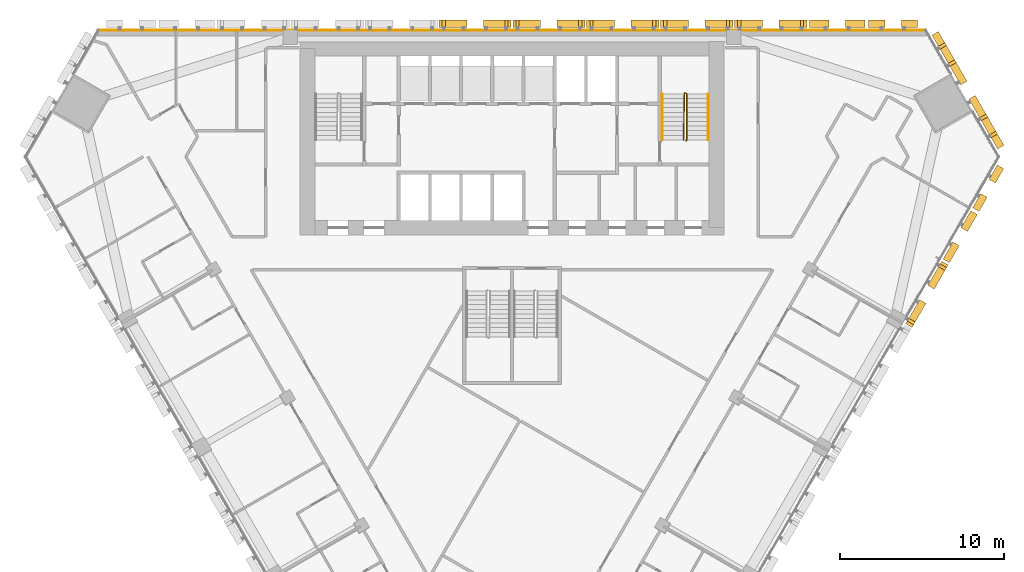
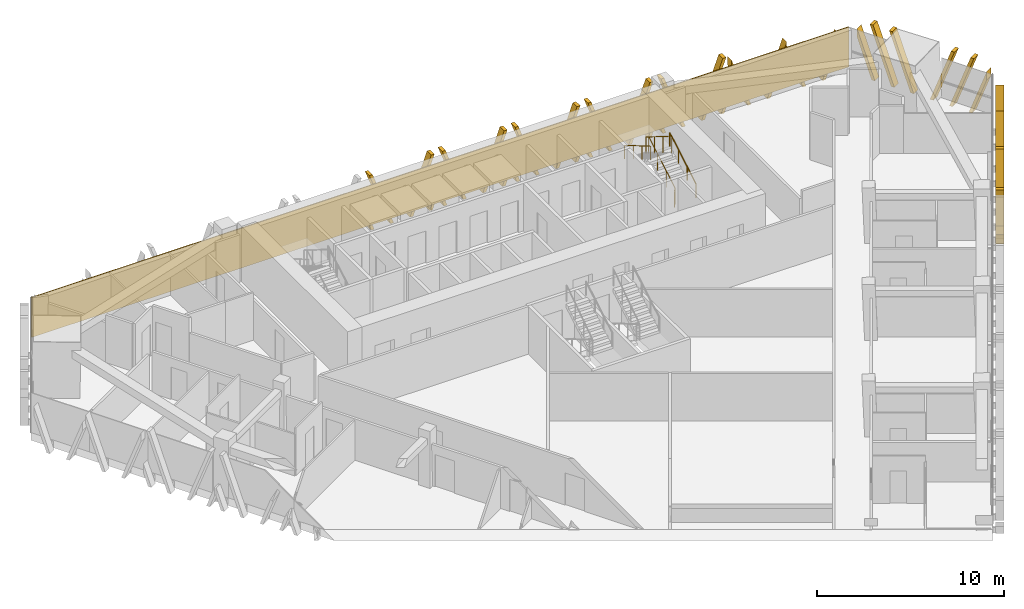
# One storey, part 15 of 16: 11 shading devices, 3 railings, 1 covering.
"""IFC4 building model written with IfcOpenShell, lengths in metres."""

from ifc_helpers import new_model, si_unit, direction, frame, frame_2d, origin, origin_2d, place, context, subcontext, project, spatial, polyline, rectangle, circle, outline, extrude, source, transform, mapped, material, layer, layer_set, type_object, element, save


model = new_model("IFC4")

# Units and contexts
model_context = context("Model", 3, precision=1e-05, world=origin(), true_north=direction((0.0, 1.0)))
body_context = subcontext(model_context, "Body", "Model", "MODEL_VIEW")
ifc_project = project(units=[si_unit("LENGTHUNIT", "METRE"), si_unit("AREAUNIT", "SQUARE_METRE"), si_unit("VOLUMEUNIT", "CUBIC_METRE"), si_unit("PLANEANGLEUNIT", "RADIAN"), si_unit("MASSUNIT", "GRAM", prefix="KILO")], contexts=[model_context])

# Site, building, storey
site_placement = place(None, origin())
site = spatial("IfcSite", under=ifc_project, at=site_placement, CompositionType="ELEMENT")
building_placement = place(site_placement, origin())
building = spatial("IfcBuilding", under=site, at=building_placement, Name="Altiplano Prism Tower", CompositionType="ELEMENT")
storey_placement = place(building_placement, frame((0.0, 0.0, 77.39990234375)))
storey = spatial("IfcBuildingStorey", under=building, at=storey_placement, Name="L19", CompositionType="ELEMENT", Elevation=77.39990234375)

# Railings
ifc_material_1 = material(Name="Steel S355", Category="steel")
railing_type_1 = type_object("IfcRailingType", Name="Stair guard 1100", PredefinedType="GUARDRAIL", material=ifc_material_1)
railing_1_placement = place(storey_placement, frame((95.60009765625, 98.25, 0.0)))
element("IfcRailing", 1, at=railing_1_placement, inside=storey, type_object=railing_type_1, Name="L19 ST2 stair guard 1", PredefinedType="GUARDRAIL", context=body_context, shape_type="SweptSolid", body=[
    extrude(circle(Radius=0.02392578125, at=origin_2d()), frame((0.0, 0.0, 1.076171875), z_axis=(0.279194930351, 0.280563532951, 0.91833234444), x_axis=(-0.708833529934, 0.705375805398, 0.0)), (0.0, 0.0, 1.0), 0.178466796875),
    extrude(circle(Radius=0.02392578125, at=origin_2d()), frame((0.0498046875, 0.050048828125, 1.23974609375), z_axis=(0.0, 0.863393664356, 0.504530851732), x_axis=(-1.0, 0.0, 0.0)), (0.0, 0.0, 1.0), 3.2431640625),
    extrude(circle(Radius=0.02392578125, at=origin_2d()), frame((0.0498046875, 2.85009765625, 2.8759765625), z_axis=(-0.948991962702, 0.315300261223, 0.0), x_axis=(-0.315300261223, -0.948991962702, 0.0)), (0.0, 0.0, 1.0), 0.157958984375),
    extrude(circle(Radius=0.02392578125, at=origin_2d()), frame((-0.10009765625, 2.89990234375, 2.8759765625), z_axis=(-0.014846418356, -0.845376787675, 0.533964109957), x_axis=(0.999845825584, -0.017559187376, 0.0)), (0.0, 0.0, 1.0), 3.37109375),
    extrude(circle(Radius=0.02099609375, at=origin_2d()), origin(), (0.0, 0.0, 1.0), 1.052001953125),
    extrude(circle(Radius=0.02099609375, at=origin_2d()), frame((0.0498046875, 0.050048828125, 0.163818359375)), (0.0, 0.0, 1.0), 1.052001953125),
    extrude(circle(Radius=0.02099609375, at=origin_2d()), frame((0.0498046875, 0.9833984375, 0.709228515625)), (0.0, 0.0, 1.0), 1.052001953125),
    extrude(circle(Radius=0.02099609375, at=origin_2d()), frame((0.0498046875, 1.916748046875, 1.254638671875)), (0.0, 0.0, 1.0), 1.052001953125),
    extrude(circle(Radius=0.02099609375, at=origin_2d()), frame((0.0498046875, 2.85009765625, 1.800048828125)), (0.0, 0.0, 1.0), 1.052001953125),
    extrude(circle(Radius=0.02099609375, at=origin_2d()), frame((-0.10009765625, 2.89990234375, 1.800048828125)), (0.0, 0.0, 1.0), 1.052001953125),
    extrude(circle(Radius=0.02099609375, at=origin_2d()), frame((-0.11669921875, 1.949951171875, 2.400146484375)), (0.0, 0.0, 1.0), 1.052001953125),
    extrude(circle(Radius=0.02099609375, at=origin_2d()), frame((-0.133544921875, 1.0, 3.0)), (0.0, 0.0, 1.0), 1.052001953125),
    extrude(circle(Radius=0.02099609375, at=origin_2d()), frame((-0.150146484375, 0.050048828125, 3.60009765625)), (0.0, 0.0, 1.0), 1.052001953125),
])
railing_type_2 = type_object("IfcRailingType", Name="Stair handrail 900", PredefinedType="HANDRAIL", material=ifc_material_1)
railing_2_placement = place(storey_placement, frame((96.949951171875, 98.300048828125, 0.163818359375)))
element("IfcRailing", 2, at=railing_2_placement, inside=storey, type_object=railing_type_2, Name="L19 ST2 stair handrail 1", PredefinedType="HANDRAIL", context=body_context, shape_type="SweptSolid", body=[
    extrude(circle(Radius=0.02392578125, at=origin_2d()), frame((0.0, 0.0, 0.8759765625), z_axis=(0.0, 0.863393664356, 0.504530851732), x_axis=(-1.0, 0.0, 0.0)), (0.0, 0.0, 1.0), 3.2431640625),
    extrude(circle(Radius=0.02099609375, at=origin_2d()), origin(), (0.0, 0.0, 1.0), 0.851806640625),
    extrude(circle(Radius=0.02099609375, at=origin_2d()), frame((0.0, 0.933349609375, 0.54541015625)), (0.0, 0.0, 1.0), 0.851806640625),
    extrude(circle(Radius=0.02099609375, at=origin_2d()), frame((0.0, 1.86669921875, 1.0908203125)), (0.0, 0.0, 1.0), 0.851806640625),
    extrude(circle(Radius=0.02099609375, at=origin_2d()), frame((0.0, 2.800048828125, 1.63623046875)), (0.0, 0.0, 1.0), 0.851806640625),
])
railing_3_placement = place(storey_placement, frame((94.14990234375, 101.10009765625, 1.963623046875)))
element("IfcRailing", 3, at=railing_3_placement, inside=storey, type_object=railing_type_2, Name="L19 ST2 stair handrail 2", PredefinedType="HANDRAIL", context=body_context, shape_type="SweptSolid", body=[
    extrude(circle(Radius=0.02392578125, at=origin_2d()), frame((0.0, 0.0, 0.8759765625), z_axis=(0.0, -0.863360870873, 0.504586966384), x_axis=(1.0, 0.0, 0.0)), (0.0, 0.0, 1.0), 3.2431640625),
    extrude(circle(Radius=0.02099609375, at=origin_2d()), origin(), (0.0, 0.0, 1.0), 0.851806640625),
    extrude(circle(Radius=0.02099609375, at=origin_2d()), frame((0.0, -0.933349609375, 0.54541015625)), (0.0, 0.0, 1.0), 0.851806640625),
    extrude(circle(Radius=0.02099609375, at=origin_2d()), frame((0.0, -1.86669921875, 1.091064453125)), (0.0, 0.0, 1.0), 0.851806640625),
    extrude(circle(Radius=0.02099609375, at=origin_2d()), frame((0.0, -2.800048828125, 1.636474609375)), (0.0, 0.0, 1.0), 0.851806640625),
])

# Covering
ifc_material_2 = material(Name="Warm limestone cast stone", Category="masonry")
ifc_layer = layer(ifc_material_2, 0.06005859375)
ifc_layer_set = layer_set([ifc_layer], Name="Warm limestone cast stone")
covering_type = type_object("IfcCoveringType", Name="Stone cladding 60", PredefinedType="CLADDING", material=ifc_layer_set)
covering_placement = place(storey_placement, frame((59.7890625, 104.969970703125, 0.0), z_axis=(0.0, 0.0, 1.0), x_axis=(1.0, 0.0, 0.0)))
element("IfcCovering", 4, at=covering_placement, inside=storey, type_object=covering_type, Name="Stone cladding north face L19", PredefinedType="CLADDING", context=body_context, shape_type="SweptSolid", body=[
    extrude(rectangle(XDim=50.421875, YDim=0.06005859375, at=frame_2d((25.2109375, 0.0))), origin(), (0.0, 0.0, 1.0), 2.60009765625),
])

# Shading devices
shading_device_type_1 = type_object("IfcShadingDeviceType", Name="Stone fin panel, standard unit", PredefinedType="USERDEFINED", material=ifc_material_2)
shared_shape_1 = source(origin(), body_context, "Body", "SweptSolid", [
    extrude(outline(polyline([(-2.199951171875, 1.373779296875), (-2.199951171875, 0.82421875), (-1.89990234375, 0.0), (-1.699951171875, 0.0), (-2.199951171875, 1.373779296875)])), frame((0.0, -0.14990234375, 0.0), z_axis=(0.0, -1.0, 0.0), x_axis=(1.0, 0.0, 0.0)), (0.0, 0.0, 1.0), 0.4501953125),
    extrude(outline(polyline([(-2.01025390625, 3.60009765625), (-0.699951171875, 0.0), (-0.5, 0.0), (-1.810302734375, 3.60009765625), (-2.01025390625, 3.60009765625)])), frame((0.0, -0.14990234375, 0.0), z_axis=(0.0, -1.0, 0.0), x_axis=(1.0, 0.0, 0.0)), (0.0, 0.0, 1.0), 0.4501953125),
    extrude(outline(polyline([(1.810302734375, 3.60009765625), (0.5, 0.0), (0.699951171875, 0.0), (2.01025390625, 3.60009765625), (1.810302734375, 3.60009765625)])), frame((0.0, -0.14990234375, 0.0), z_axis=(0.0, -1.0, 0.0), x_axis=(1.0, 0.0, 0.0)), (0.0, 0.0, 1.0), 0.4501953125),
    extrude(outline(polyline([(2.199951171875, 0.82421875), (2.199951171875, 1.373779296875), (1.699951171875, 0.0), (1.89990234375, 0.0), (2.199951171875, 0.82421875)])), frame((0.0, -0.14990234375, 0.0), z_axis=(0.0, -1.0, 0.0), x_axis=(1.0, 0.0, 0.0)), (0.0, 0.0, 1.0), 0.4501953125),
])
shading_device_1_placement = place(storey_placement, origin())
element("IfcShadingDevice", 5, at=shading_device_1_placement, inside=storey, type_object=shading_device_type_1, Name="Fin L19 north face 3", ObjectType="FIN", PredefinedType="USERDEFINED", context=body_context, shape_type="MappedRepresentation", body=[
    mapped(shared_shape_1, transform((100.75, 105.0, -0.5), x_axis=(-1.0, 0.0, 0.0), y_axis=(0.0, -1.0, 0.0), z_axis=(0.0, 0.0, 1.0))),
])
shading_device_2_placement = place(storey_placement, origin())
element("IfcShadingDevice", 6, at=shading_device_2_placement, inside=storey, type_object=shading_device_type_1, Name="Fin L19 north face 4", ObjectType="FIN", PredefinedType="USERDEFINED", context=body_context, shape_type="MappedRepresentation", body=[
    mapped(shared_shape_1, transform((96.25, 105.0, -0.5), x_axis=(-1.0, 0.0, 0.0), y_axis=(0.0, -1.0, 0.0), z_axis=(0.0, 0.0, 1.0))),
])
shading_device_3_placement = place(storey_placement, origin())
element("IfcShadingDevice", 7, at=shading_device_3_placement, inside=storey, type_object=shading_device_type_1, Name="Fin L19 north face 5", ObjectType="FIN", PredefinedType="USERDEFINED", context=body_context, shape_type="MappedRepresentation", body=[
    mapped(shared_shape_1, transform((91.75, 105.0, -0.5), x_axis=(-1.0, 0.0, 0.0), y_axis=(0.0, -1.0, 0.0), z_axis=(0.0, 0.0, 1.0))),
])
shading_device_4_placement = place(storey_placement, origin())
element("IfcShadingDevice", 8, at=shading_device_4_placement, inside=storey, type_object=shading_device_type_1, Name="Fin L19 north face 6", ObjectType="FIN", PredefinedType="USERDEFINED", context=body_context, shape_type="MappedRepresentation", body=[
    mapped(shared_shape_1, transform((87.25, 105.0, -0.5), x_axis=(-1.0, 0.0, 0.0), y_axis=(0.0, -1.0, 0.0), z_axis=(0.0, 0.0, 1.0))),
])
shading_device_5_placement = place(storey_placement, origin())
element("IfcShadingDevice", 9, at=shading_device_5_placement, inside=storey, type_object=shading_device_type_1, Name="Fin L19 north face 7", ObjectType="FIN", PredefinedType="USERDEFINED", context=body_context, shape_type="MappedRepresentation", body=[
    mapped(shared_shape_1, transform((82.75, 105.0, -0.5), x_axis=(-1.0, 0.0, 0.0), y_axis=(0.0, -1.0, 0.0), z_axis=(0.0, 0.0, 1.0))),
])
shading_device_6_placement = place(storey_placement, origin())
element("IfcShadingDevice", 10, at=shading_device_6_placement, inside=storey, type_object=shading_device_type_1, Name="Fin L19 south-east face 10", ObjectType="FIN", PredefinedType="USERDEFINED", context=body_context, shape_type="MappedRepresentation", body=[
    mapped(shared_shape_1, transform((109.941650390625, 89.07958984375, -0.5), x_axis=(0.500000004206, 0.866025401356, 0.0), y_axis=(-0.866025401356, 0.500000004206, 0.0), z_axis=(0.0, 0.0, 1.0))),
])
shading_device_type_2 = type_object("IfcShadingDeviceType", Name="Stone fin panel, narrow closing bay", PredefinedType="USERDEFINED", material=ifc_material_2)
shared_shape_2 = source(origin(), body_context, "Body", "SweptSolid", [
    extrude(outline(polyline([(-1.699951171875, 3.297119140625), (-1.699951171875, 2.74755859375), (-0.699951171875, 0.0), (-0.5, 0.0), (-1.699951171875, 3.297119140625)])), frame((0.0, -0.14990234375, 0.0), z_axis=(0.0, -1.0, 0.0), x_axis=(1.0, 0.0, 0.0)), (0.0, 0.0, 1.0), 0.4501953125),
    extrude(outline(polyline([(1.699951171875, 2.74755859375), (1.699951171875, 3.297119140625), (0.5, 0.0), (0.699951171875, 0.0), (1.699951171875, 2.74755859375)])), frame((0.0, -0.14990234375, 0.0), z_axis=(0.0, -1.0, 0.0), x_axis=(1.0, 0.0, 0.0)), (0.0, 0.0, 1.0), 0.4501953125),
])
shading_device_7_placement = place(storey_placement, origin())
element("IfcShadingDevice", 11, at=shading_device_7_placement, inside=storey, type_object=shading_device_type_2, Name="Fin L19 north face 2", ObjectType="FIN", PredefinedType="USERDEFINED", context=body_context, shape_type="MappedRepresentation", body=[
    mapped(shared_shape_2, transform((104.802734375, 105.0, -0.5), x_axis=(-1.0, 0.0, 0.0), y_axis=(0.0, -1.0, 0.0), z_axis=(0.0, 0.0, 1.0))),
])
shading_device_8_placement = place(storey_placement, origin())
element("IfcShadingDevice", 12, at=shading_device_8_placement, inside=storey, type_object=shading_device_type_2, Name="Fin L19 south-east face 11", ObjectType="FIN", PredefinedType="USERDEFINED", context=body_context, shape_type="MappedRepresentation", body=[
    mapped(shared_shape_2, transform((111.968017578125, 92.58935546875, -0.5), x_axis=(0.500000004206, 0.866025401356, 0.0), y_axis=(-0.866025401356, 0.500000004206, 0.0), z_axis=(0.0, 0.0, 1.0))),
])
shared_shape_3 = source(origin(), body_context, "Body", "SweptSolid", [
    extrude(outline(polyline([(-1.5, 2.74755859375), (-1.5, 2.197998046875), (-0.699951171875, 0.0), (-0.5, 0.0), (-1.5, 2.74755859375)])), frame((0.0, -0.14990234375, 0.0), z_axis=(0.0, -1.0, 0.0), x_axis=(1.0, 0.0, 0.0)), (0.0, 0.0, 1.0), 0.4501953125),
    extrude(outline(polyline([(1.5, 2.197998046875), (1.5, 2.74755859375), (0.5, 0.0), (0.699951171875, 0.0), (1.5, 2.197998046875)])), frame((0.0, -0.14990234375, 0.0), z_axis=(0.0, -1.0, 0.0), x_axis=(1.0, 0.0, 0.0)), (0.0, 0.0, 1.0), 0.4501953125),
])
shading_device_9_placement = place(storey_placement, origin())
element("IfcShadingDevice", 13, at=shading_device_9_placement, inside=storey, type_object=shading_device_type_2, Name="Fin L19 north face 1", ObjectType="FIN", PredefinedType="USERDEFINED", context=body_context, shape_type="MappedRepresentation", body=[
    mapped(shared_shape_3, transform((108.208251953125, 105.0, -0.5), x_axis=(-1.0, 0.0, 0.0), y_axis=(0.0, -1.0, 0.0), z_axis=(0.0, 0.0, 1.0))),
])
shading_device_10_placement = place(storey_placement, origin())
element("IfcShadingDevice", 14, at=shading_device_10_placement, inside=storey, type_object=shading_device_type_2, Name="Fin L19 south-east face 12", ObjectType="FIN", PredefinedType="USERDEFINED", context=body_context, shape_type="MappedRepresentation", body=[
    mapped(shared_shape_3, transform((113.6708984375, 95.53857421875, -0.5), x_axis=(0.500000004206, 0.866025401356, 0.0), y_axis=(-0.866025401356, 0.500000004206, 0.0), z_axis=(0.0, 0.0, 1.0))),
])
shading_device_type_3 = type_object("IfcShadingDeviceType", Name="Stone fin panel, chamfer unit", PredefinedType="USERDEFINED", material=ifc_material_2)
shared_shape_4 = source(origin(), body_context, "Body", "SweptSolid", [
    extrude(outline(polyline([(-4.0, 3.022216796875), (-4.0, 2.47265625), (-3.10009765625, 0.0), (-2.89990234375, 0.0), (-4.0, 3.022216796875)])), frame((0.0, -0.14990234375, 0.0), z_axis=(0.0, -1.0, 0.0), x_axis=(1.0, 0.0, 0.0)), (0.0, 0.0, 1.0), 0.4501953125),
    extrude(outline(polyline([(-3.210205078125, 3.60009765625), (-1.89990234375, 0.0), (-1.699951171875, 0.0), (-3.01025390625, 3.60009765625), (-3.210205078125, 3.60009765625)])), frame((0.0, -0.14990234375, 0.0), z_axis=(0.0, -1.0, 0.0), x_axis=(1.0, 0.0, 0.0)), (0.0, 0.0, 1.0), 0.4501953125),
    extrude(outline(polyline([(-2.01025390625, 3.60009765625), (-0.699951171875, 0.0), (-0.5, 0.0), (-1.810302734375, 3.60009765625), (-2.01025390625, 3.60009765625)])), frame((0.0, -0.14990234375, 0.0), z_axis=(0.0, -1.0, 0.0), x_axis=(1.0, 0.0, 0.0)), (0.0, 0.0, 1.0), 0.4501953125),
    extrude(outline(polyline([(1.810302734375, 3.60009765625), (0.5, 0.0), (0.699951171875, 0.0), (2.01025390625, 3.60009765625), (1.810302734375, 3.60009765625)])), frame((0.0, -0.14990234375, 0.0), z_axis=(0.0, -1.0, 0.0), x_axis=(1.0, 0.0, 0.0)), (0.0, 0.0, 1.0), 0.4501953125),
    extrude(outline(polyline([(3.01025390625, 3.60009765625), (1.699951171875, 0.0), (1.89990234375, 0.0), (3.210205078125, 3.60009765625), (3.01025390625, 3.60009765625)])), frame((0.0, -0.14990234375, 0.0), z_axis=(0.0, -1.0, 0.0), x_axis=(1.0, 0.0, 0.0)), (0.0, 0.0, 1.0), 0.4501953125),
    extrude(outline(polyline([(4.0, 2.47265625), (4.0, 3.022216796875), (2.89990234375, 0.0), (3.10009765625, 0.0), (4.0, 2.47265625)])), frame((0.0, -0.14990234375, 0.0), z_axis=(0.0, -1.0, 0.0), x_axis=(1.0, 0.0, 0.0)), (0.0, 0.0, 1.0), 0.4501953125),
])
shading_device_11_placement = place(storey_placement, origin())
element("IfcShadingDevice", 15, at=shading_device_11_placement, inside=storey, type_object=shading_device_type_3, Name="Fin L19 north-east chamfer 1", ObjectType="FIN", PredefinedType="USERDEFINED", context=body_context, shape_type="MappedRepresentation", body=[
    mapped(shared_shape_4, transform((112.441650390625, 101.136474609375, -0.5), x_axis=(-0.50000001892, 0.866025392861, 0.0), y_axis=(-0.866025392861, -0.50000001892, 0.0), z_axis=(0.0, 0.0, 1.0))),
])

save(model, "model.ifc")
